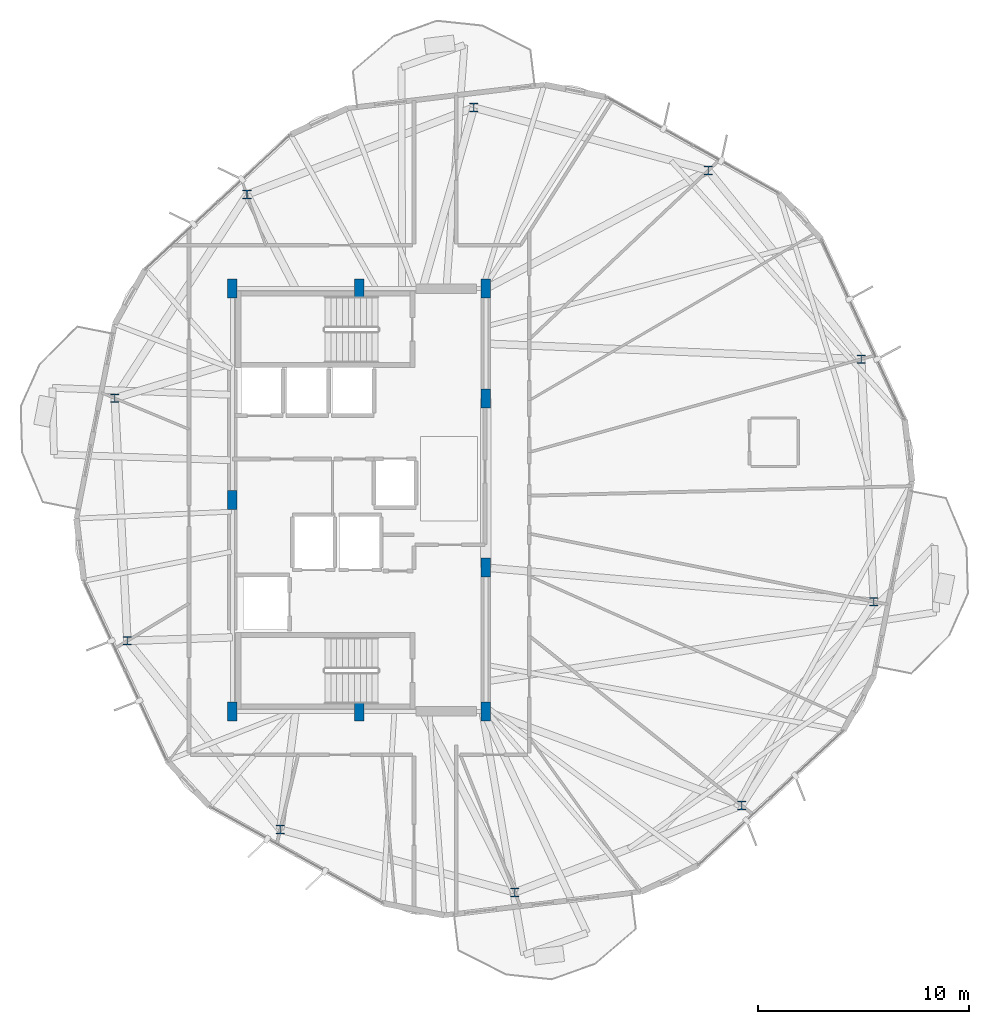
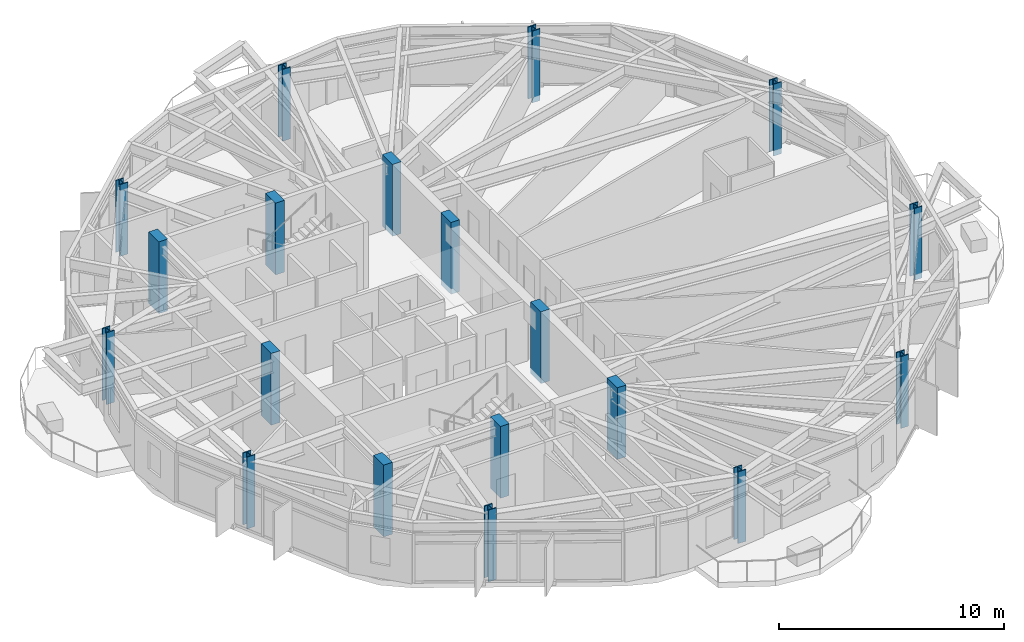
# One storey, part 1 of 25: 19 columns.
"""IFC4 building model written with IfcOpenShell, lengths in metres."""

import ifcopenshell
import ifcopenshell.guid

model = None  # the IFC model being written
_history = None  # IfcOwnerHistory: only IFC2X3 demands one
_inside = {}  # id of a spatial element -> (the spatial element, [elements in it])
_under = {}  # id of a project, library or spatial element -> (it, [spatial elements below it])
_declared = {}  # id of a project -> (the project, [libraries it declares])
_typed = {}  # id of a type object -> (the type object, [elements of that type])
_made_of = {}  # id of a material, layer set ... -> (it, [elements and type objects made of it])


def new_model(schema):
    """Start an empty IFC model of exactly this schema.

    Asked for "IFC4X3", IfcOpenShell would pick the latest addendum, in which some entities
    have other attributes; the version numbers below select the first issue.
    IFC2X3 requires an IfcOwnerHistory on every rooted entity: one is made here for all.
    """
    global model, _history
    if schema == "IFC4X3":
        model = ifcopenshell.file(schema_version=(4, 3, 0, 0))
    else:
        model = ifcopenshell.file(schema=schema)
    _inside.clear()
    _under.clear()
    _declared.clear()
    _typed.clear()
    _made_of.clear()
    _history = None
    if model.schema == "IFC2X3":
        org = make("IfcOrganization", Name="unknown")
        user = make(
            "IfcPersonAndOrganization",
            ThePerson=make("IfcPerson", FamilyName="unknown"),
            TheOrganization=org,
        )
        app = make(
            "IfcApplication",
            ApplicationDeveloper=org,
            Version="unknown",
            ApplicationFullName="unknown",
            ApplicationIdentifier="unknown",
        )
        _history = make(
            "IfcOwnerHistory",
            OwningUser=user,
            OwningApplication=app,
            ChangeAction="ADDED",
            CreationDate=0,
        )
    return model


def make(cls, **values):
    """One entity of the class cls with the attributes given. An attribute that is None is left unset."""
    return model.create_entity(
        cls, **{name: value for name, value in values.items() if value is not None}
    )


def rooted(cls, **values):
    """An entity with a GlobalId (a new one), such as an element, a storey or a relation."""
    return make(cls, GlobalId=ifcopenshell.guid.new(), OwnerHistory=_history, **values)


def si_unit(unit_type, name, prefix=None):
    """IfcSIUnit, for example si_unit("LENGTHUNIT", "METRE", prefix="MILLI")."""
    return make("IfcSIUnit", UnitType=unit_type, Prefix=prefix, Name=name)


def assignment(units):
    """IfcUnitAssignment: the units of a project."""
    return None if units is None else make("IfcUnitAssignment", Units=units)


def point(xyz):
    """IfcCartesianPoint."""
    return None if xyz is None else make("IfcCartesianPoint", Coordinates=xyz)


def direction(xyz):
    """IfcDirection."""
    return None if xyz is None else make("IfcDirection", DirectionRatios=xyz)


def frame(location, z_axis=None, x_axis=None):
    """IfcAxis2Placement3D, a coordinate frame: its origin and axes. An axis left out is left unset."""
    return make(
        "IfcAxis2Placement3D",
        Location=point(location),
        Axis=direction(z_axis),
        RefDirection=direction(x_axis),
    )


def frame_2d(location, x_axis=None):
    """IfcAxis2Placement2D, a coordinate frame in the plane: its origin and x axis."""
    return make(
        "IfcAxis2Placement2D", Location=point(location), RefDirection=direction(x_axis)
    )


def origin():
    """The frame at (0, 0, 0) with its axes left unset."""
    return frame((0.0, 0.0, 0.0))


def origin_2d():
    """The frame at (0, 0) in the plane with its x axis left unset."""
    return frame_2d((0.0, 0.0))


def place(relative_to, where):
    """IfcLocalPlacement: puts the frame where relative to a parent placement (None: the world)."""
    return make(
        "IfcLocalPlacement", PlacementRelTo=relative_to, RelativePlacement=where
    )


def context(
    kind, dimensions, precision=None, world=None, true_north=None, identifier=None
):
    """IfcGeometricRepresentationContext, for example the 3D "Model" context."""
    return make(
        "IfcGeometricRepresentationContext",
        ContextIdentifier=identifier,
        ContextType=kind,
        CoordinateSpaceDimension=dimensions,
        Precision=precision,
        WorldCoordinateSystem=world,
        TrueNorth=true_north,
    )


def subcontext(parent, identifier, kind, view, scale=None):
    """IfcGeometricRepresentationSubContext, for example "Body" below "Model"."""
    return make(
        "IfcGeometricRepresentationSubContext",
        ContextIdentifier=identifier,
        ContextType=kind,
        ParentContext=parent,
        TargetScale=scale,
        TargetView=view,
    )


def project(units=None, contexts=None):
    """IfcProject with its units and contexts."""
    return rooted(
        "IfcProject",
        Name="project",
        RepresentationContexts=contexts,
        UnitsInContext=assignment(units),
    )


def spatial(cls, under=None, at=None, **own):
    """A site, building, storey or space (cls), placed at a placement, below another one or the project."""
    s = rooted(cls, ObjectPlacement=at, **own)
    if under is not None:
        _under.setdefault(under.id(), (under, []))[1].append(s)
    return s


def profile(cls, at=None, kind="AREA", **sizes):
    """A parametric profile (cls). Its sizes go by their IFC names, for example OverallWidth=200.0."""
    return make(cls, ProfileType=kind, Position=at, **sizes)


def rectangle(**sizes):
    """IfcRectangleProfileDef."""
    return profile("IfcRectangleProfileDef", **sizes)


def i_section(**sizes):
    """IfcIShapeProfileDef."""
    return profile("IfcIShapeProfileDef", **sizes)


def extrude(swept, where, along, depth):
    """IfcExtrudedAreaSolid: the profile swept, set in the frame where, extruded along a direction by depth."""
    return make(
        "IfcExtrudedAreaSolid",
        SweptArea=swept,
        Position=where,
        ExtrudedDirection=direction(along),
        Depth=depth,
    )


def shape(context_of_items, identifier, shape_type, items):
    """IfcShapeRepresentation: the items that make up one representation, for example the "Body"."""
    return make(
        "IfcShapeRepresentation",
        ContextOfItems=context_of_items,
        RepresentationIdentifier=identifier,
        RepresentationType=shape_type,
        Items=items,
    )


def material(Name=None, Category=None):
    """IfcMaterial."""
    return make("IfcMaterial", Name=Name, Category=Category)


def material_profile(
    of_material, cross_section, Name=None, Category=None, Priority=None
):
    """IfcMaterialProfile: a cross section and its material."""
    return make(
        "IfcMaterialProfile",
        Name=Name,
        Material=of_material,
        Profile=cross_section,
        Priority=Priority,
        Category=Category,
    )


def profile_set(profiles, Name=None, composite=None):
    """IfcMaterialProfileSet."""
    return make(
        "IfcMaterialProfileSet",
        Name=Name,
        MaterialProfiles=profiles,
        CompositeProfile=composite,
    )


def made_of(thing, what):
    """Note that an element or type object is made of a material, layer set ...; save() writes the relation."""
    if what is not None:
        _made_of.setdefault(what.id(), (what, []))[1].append(thing)
    return thing


def type_object(cls, material=None, **own):
    """A type object (cls), such as IfcWallType, which elements share."""
    return made_of(rooted(cls, **own), material)


def element(
    cls,
    number,
    at=None,
    inside=None,
    cuts=None,
    type_object=None,
    material=None,
    context=None,
    identifier="Body",
    shape_type=None,
    held_by="IfcProductDefinitionShape",
    body=None,
    shapes=None,
    **own,
):
    """One element of the class cls, such as IfcWall. Its Tag is "e" and its number.

    at: its placement. inside: the storey or other place that contains it. cuts: it is an
    opening in that element (IfcRelVoidsElement). A single representation is given by context,
    identifier, shape_type and body (its items); several are given by shapes. held_by: the class
    of the entity that holds the representations. save() writes the other relations.
    """
    e = rooted(cls, Tag="e%d" % number, ObjectPlacement=at, **own)
    if body is not None:
        shapes = [shape(context, identifier, shape_type, body)]
    if shapes is not None:
        e.Representation = make(held_by, Representations=shapes)
    if inside is not None:
        _inside.setdefault(inside.id(), (inside, []))[1].append(e)
    if cuts is not None:
        rooted(
            "IfcRelVoidsElement", RelatingBuildingElement=cuts, RelatedOpeningElement=e
        )
    if type_object is not None:
        _typed.setdefault(type_object.id(), (type_object, []))[1].append(e)
    return made_of(e, material)


def aggregate(whole, parts):
    """IfcRelAggregates: a whole, such as a stair, and the parts it consists of."""
    return rooted("IfcRelAggregates", RelatingObject=whole, RelatedObjects=parts)


def save(model, path):
    """Write the relations noted so far, then the file.

    IfcRelAggregates (storeys below a building ...), IfcRelContainedInSpatialStructure (elements
    in a storey), IfcRelDefinesByType, IfcRelAssociatesMaterial and IfcRelDeclares: one each for
    every whole, place, type object, material and project.
    """
    for whole, parts in _under.values():
        aggregate(whole, parts)
    for where, things in _inside.values():
        rooted(
            "IfcRelContainedInSpatialStructure",
            RelatedElements=things,
            RelatingStructure=where,
        )
    for kind, things in _typed.values():
        rooted("IfcRelDefinesByType", RelatedObjects=things, RelatingType=kind)
    for what, things in _made_of.values():
        rooted("IfcRelAssociatesMaterial", RelatedObjects=things, RelatingMaterial=what)
    for by, libraries in _declared.values():
        rooted("IfcRelDeclares", RelatingContext=by, RelatedDefinitions=libraries)
    model.write(path)


model = new_model("IFC4")

# Units and contexts
model_context = context("Model", 3, precision=1e-05, world=origin(), true_north=direction((0.0, 1.0)))
body_context = subcontext(model_context, "Body", "Model", "MODEL_VIEW")
ifc_project = project(units=[si_unit("LENGTHUNIT", "METRE"), si_unit("AREAUNIT", "SQUARE_METRE"), si_unit("VOLUMEUNIT", "CUBIC_METRE"), si_unit("PLANEANGLEUNIT", "RADIAN"), si_unit("MASSUNIT", "GRAM", prefix="KILO")], contexts=[model_context])

# Site, building, storey
site_placement = place(None, origin())
site = spatial("IfcSite", under=ifc_project, at=site_placement, CompositionType="ELEMENT")
building_placement = place(site_placement, origin())
building = spatial("IfcBuilding", under=site, at=building_placement, Name="Soratama Intermodal Tower", CompositionType="ELEMENT")
storey_placement = place(building_placement, frame((0.0, 0.0, 190.60009765625)))
storey = spatial("IfcBuildingStorey", under=building, at=storey_placement, Name="L47", CompositionType="ELEMENT", Elevation=190.60009765625)

# Columns
ifc_material_1 = material(Name="Structural steel ASTM A992 Grade 50", Category="steel")
ifc_material_profile_1 = material_profile(ifc_material_1, i_section(OverallWidth=0.406005859375, OverallDepth=0.416015625, WebThickness=0.02978515625, FlangeThickness=0.048095703125, FilletRadius=0.0380859375, at=origin_2d()), Name="W14X257")
ifc_profile_set_1 = profile_set([ifc_material_profile_1], Name="Structural steel ASTM A992 Grade 50")
column_type_1 = type_object("IfcColumnType", Name="COL-ZD-W14X257", PredefinedType="COLUMN", material=ifc_profile_set_1)
for number, where, z_axis, x_axis, name in (
    (1, (62.364501953125, 31.66552734375, -0.300048828125), (0.0, 0.0, 1.0), (1.0, 0.0, 0.0), "L47 Tower Ring Column R01"),
    (2, (55.13037109375, 40.599365234375, -0.300048828125), (0.0, 0.0, 1.0), (1.0, 0.0, 0.0), "L47 Tower Ring Column R02"),
    (3, (44.026611328125, 43.574462890625, -0.300048828125), (0.0, 0.0, 1.0), (1.0, 0.0, 0.0), "L47 Tower Ring Column R03"),
    (4, (33.294677734375, 39.454833984375, -0.300048828125), (0.0, 0.0, 1.0), (1.0, 0.0, 0.0), "L47 Tower Ring Column R04"),
    (5, (27.03369140625, 29.81396484375, -0.300048828125), (0.0, 0.0, 1.0), (1.0, 0.0, 0.0), "L47 Tower Ring Column R05"),
    (6, (27.635498046875, 18.33447265625, -0.300048828125), (0.0, 0.0, 1.0), (1.0, 0.0, 0.0), "L47 Tower Ring Column R06"),
    (7, (34.86962890625, 9.400634765625, -0.300048828125), (0.0, 0.0, 1.0), (1.0, 0.0, 0.0), "L47 Tower Ring Column R07"),
    (8, (45.973388671875, 6.425537109375, -0.300048828125), (0.0, 0.0, 1.0), (1.0, 0.0, 0.0), "L47 Tower Ring Column R08"),
    (9, (56.705322265625, 10.545166015625, -0.300048828125), (0.0, 0.0, 1.0), (1.0, 0.0, 0.0), "L47 Tower Ring Column R09"),
    (10, (62.96630859375, 20.18603515625, -0.300048828125), (0.0, 0.0, 1.0), (1.0, 0.0, 0.0), "L47 Tower Ring Column R10"),
):
    element("IfcColumn", number, at=place(storey_placement, frame(where, z_axis=z_axis, x_axis=x_axis)), inside=storey, type_object=column_type_1, Name=name, PredefinedType="COLUMN", context=body_context, shape_type="SweptSolid", body=[
        extrude(i_section(OverallWidth=0.406005859375, OverallDepth=0.416015625, WebThickness=0.02978515625, FlangeThickness=0.048095703125, FilletRadius=0.0380859375, at=origin_2d()), origin(), (0.0, 0.0, 1.0), 3.89990234375),
    ])
ifc_material_2 = material(Name="Concrete f'c 56 MPa", Category="concrete")
ifc_material_profile_2 = material_profile(ifc_material_2, rectangle(XDim=0.449951171875, YDim=0.89990234375, at=origin_2d()), Name="RC450X900")
ifc_profile_set_2 = profile_set([ifc_material_profile_2], Name="Concrete f'c 56 MPa")
column_type_2 = type_object("IfcColumnType", Name="PIL-CORE-450X900", PredefinedType="PILASTER", material=ifc_profile_set_2)
for number, where, z_axis, x_axis, name in (
    (11, (32.60009765625, 15.0, -0.300048828125), (0.0, 0.0, 1.0), (1.0, 0.0, 0.0), "L47 Core Pilaster 1"),
    (12, (32.60009765625, 25.0, -0.300048828125), (0.0, 0.0, 1.0), (1.0, 0.0, 0.0), "L47 Core Pilaster 2"),
    (13, (32.60009765625, 35.0, -0.300048828125), (0.0, 0.0, 1.0), (1.0, 0.0, 0.0), "L47 Core Pilaster 3"),
    (14, (38.60009765625, 15.0, -0.300048828125), (0.0, 0.0, 1.0), (1.0, 0.0, 0.0), "L47 Core Pilaster 4"),
    (15, (38.60009765625, 35.0, -0.300048828125), (0.0, 0.0, 1.0), (1.0, 0.0, 0.0), "L47 Core Pilaster 5"),
    (16, (44.60009765625, 15.0, -0.300048828125), (0.0, 0.0, 1.0), (1.0, 0.0, 0.0), "L47 Core Pilaster 6"),
    (17, (44.60009765625, 21.800048828125, -0.300048828125), (0.0, 0.0, 1.0), (1.0, 0.0, 0.0), "L47 Core Pilaster 7"),
    (18, (44.60009765625, 29.800048828125, -0.300048828125), (0.0, 0.0, 1.0), (1.0, 0.0, 0.0), "L47 Core Pilaster 8"),
    (19, (44.60009765625, 35.0, -0.300048828125), (0.0, 0.0, 1.0), (1.0, 0.0, 0.0), "L47 Core Pilaster 9"),
):
    element("IfcColumn", number, at=place(storey_placement, frame(where, z_axis=z_axis, x_axis=x_axis)), inside=storey, type_object=column_type_2, Name=name, PredefinedType="PILASTER", context=body_context, shape_type="SweptSolid", body=[
        extrude(rectangle(XDim=0.449951171875, YDim=0.89990234375, at=origin_2d()), origin(), (0.0, 0.0, 1.0), 3.89990234375),
    ])

save(model, "model.ifc")
